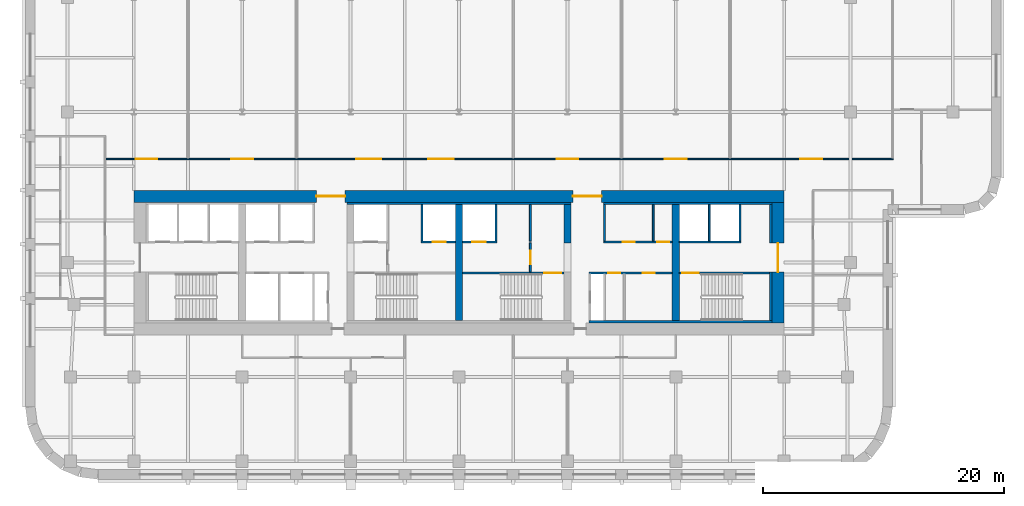
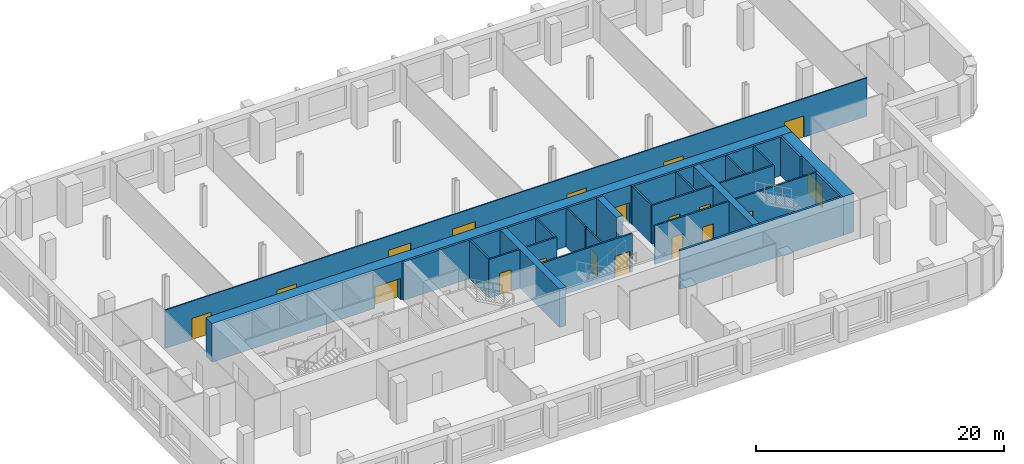
# One storey, part 5 of 9: 26 walls, 19 doors, 19 openings.
"""IFC4 building model written with IfcOpenShell, lengths in metres."""

from ifc_helpers import new_model, si_unit, direction, frame, frame_2d, origin, place, context, subcontext, project, spatial, rectangle, extrude, material, layer, layer_set, type_object, element, fill, save


model = new_model("IFC4")

# Units and contexts
model_context = context("Model", 3, precision=1e-05, world=origin(), true_north=direction((0.0, 1.0)))
body_context = subcontext(model_context, "Body", "Model", "MODEL_VIEW")
ifc_project = project(units=[si_unit("LENGTHUNIT", "METRE"), si_unit("AREAUNIT", "SQUARE_METRE"), si_unit("VOLUMEUNIT", "CUBIC_METRE"), si_unit("PLANEANGLEUNIT", "RADIAN"), si_unit("MASSUNIT", "GRAM", prefix="KILO")], contexts=[model_context])

# Site, building, storey
site_placement = place(None, origin())
site = spatial("IfcSite", under=ifc_project, at=site_placement, CompositionType="ELEMENT")
building_placement = place(site_placement, origin())
building = spatial("IfcBuilding", under=site, at=building_placement, Name="Zellij Exchange Tower", CompositionType="ELEMENT")
storey_placement = place(building_placement, frame((0.0, 0.0, 140.5)))
storey = spatial("IfcBuildingStorey", under=building, at=storey_placement, Name="L31", CompositionType="ELEMENT", Elevation=140.5)

# Walls
ifc_material_1 = material(Name="Concrete C70/85", Category="concrete")
ifc_layer_1 = layer(ifc_material_1, 0.60009765625)
ifc_layer_set_1 = layer_set([ifc_layer_1], Name="Concrete C70/85")
wall_type_1 = type_object("IfcWallType", Name="CORE-CW 600 C70/85", PredefinedType="SHEAR", material=ifc_layer_set_1)
wall_1_placement = place(storey_placement, frame((0.0, -12.800048828125, 0.0), z_axis=(0.0, 0.0, 1.0), x_axis=(0.0, 1.0, 0.0)))
element("IfcWall", 1, at=wall_1_placement, inside=storey, type_object=wall_type_1, Name="Core cross wall x 0 L31", PredefinedType="SHEAR", context=body_context, shape_type="SweptSolid", body=[
    extrude(rectangle(XDim=9.60009765625, YDim=0.60009765625, at=frame_2d((4.800048828125, 0.0))), origin(), (0.0, 0.0, 1.0), 3.800048828125),
])
wall_2_placement = place(storey_placement, frame((9.0, -6.375, 0.0), z_axis=(0.0, 0.0, 1.0), x_axis=(0.0, 1.0, 0.0)))
element("IfcWall", 2, at=wall_2_placement, inside=storey, type_object=wall_type_1, Name="Core cross wall pier x 9 b L31", PredefinedType="SHEAR", context=body_context, shape_type="SweptSolid", body=[
    extrude(rectangle(XDim=3.175048828125, YDim=0.60009765625, at=frame_2d((1.58740234375, 0.0))), origin(), (0.0, 0.0, 1.0), 3.800048828125),
])
wall_3_placement = place(storey_placement, frame((18.0, -12.800048828125, 0.0), z_axis=(0.0, 0.0, 1.0), x_axis=(0.0, 1.0, 0.0)))
element("IfcWall", 3, at=wall_3_placement, inside=storey, type_object=wall_type_1, Name="Core cross wall x 18 L31", PredefinedType="SHEAR", context=body_context, shape_type="SweptSolid", body=[
    extrude(rectangle(XDim=9.60009765625, YDim=0.60009765625, at=frame_2d((4.800048828125, 0.0))), origin(), (0.0, 0.0, 1.0), 3.800048828125),
])
ifc_material_2 = material(Name="Concrete C30/37", Category="concrete")
ifc_layer_2 = layer(ifc_material_2, 0.199951171875)
ifc_layer_set_2 = layer_set([ifc_layer_2], Name="Concrete C30/37")
wall_type_2 = type_object("IfcWallType", Name="CORE-LW 200 C30/37", PredefinedType="SHEAR", material=ifc_layer_set_2)
wall_4_placement = place(storey_placement, frame((-9.300048828125, -3.10009765625, 0.0), z_axis=(0.0, 0.0, 1.0), x_axis=(1.0, 0.0, 0.0)))
element("IfcWall", 4, at=wall_4_placement, inside=storey, type_object=wall_type_2, Name="Core wall lining front.1 L31", PredefinedType="SHEAR", context=body_context, shape_type="SweptSolid", body=[
    extrude(rectangle(XDim=18.60009765625, YDim=0.199951171875, at=frame_2d((9.300048828125, 0.0))), origin(), (0.0, 0.0, 1.0), 3.800048828125),
])
wall_5_placement = place(storey_placement, frame((12.0, -3.10009765625, 0.0), z_axis=(0.0, 0.0, 1.0), x_axis=(1.0, 0.0, 0.0)))
element("IfcWall", 5, at=wall_5_placement, inside=storey, type_object=wall_type_2, Name="Core wall lining front.2 L31", PredefinedType="SHEAR", context=body_context, shape_type="SweptSolid", body=[
    extrude(rectangle(XDim=14.0, YDim=0.199951171875, at=frame_2d((7.0, 0.0))), origin(), (0.0, 0.0, 1.0), 3.800048828125),
])
wall_6_placement = place(storey_placement, frame((10.800048828125, -12.89990234375, 0.0), z_axis=(0.0, 0.0, 1.0), x_axis=(1.0, 0.0, 0.0)))
element("IfcWall", 6, at=wall_6_placement, inside=storey, type_object=wall_type_2, Name="Core wall lining rear.2 L31", PredefinedType="SHEAR", context=body_context, shape_type="SweptSolid", body=[
    extrude(rectangle(XDim=15.199951171875, YDim=0.199951171875, at=frame_2d((7.60009765625, 0.0))), origin(), (0.0, 0.0, 1.0), 3.800048828125),
])
wall_7_placement = place(storey_placement, frame((25.89990234375, -12.800048828125, 0.0), z_axis=(0.0, 0.0, 1.0), x_axis=(0.0, 1.0, 0.0)))
element("IfcWall", 7, at=wall_7_placement, inside=storey, type_object=wall_type_2, Name="Core wall lining end e.0 L31", PredefinedType="SHEAR", context=body_context, shape_type="SweptSolid", body=[
    extrude(rectangle(XDim=4.0, YDim=0.199951171875, at=frame_2d((2.0, 0.0))), origin(), (0.0, 0.0, 1.0), 3.800048828125),
])
wall_8_placement = place(storey_placement, frame((25.89990234375, -6.375, 0.0), z_axis=(0.0, 0.0, 1.0), x_axis=(0.0, 1.0, 0.0)))
element("IfcWall", 8, at=wall_8_placement, inside=storey, type_object=wall_type_2, Name="Core wall lining end e.1 L31", PredefinedType="SHEAR", context=body_context, shape_type="SweptSolid", body=[
    extrude(rectangle(XDim=3.175048828125, YDim=0.199951171875, at=frame_2d((1.58740234375, 0.0))), origin(), (0.0, 0.0, 1.0), 3.800048828125),
])

# Wall, opening, door
ifc_material_3 = material(Name="Gypsum shaft wall system")
ifc_layer_3 = layer(ifc_material_3, 0.14990234375)
ifc_layer_set_3 = layer_set([ifc_layer_3], Name="Gypsum shaft wall system")
wall_type_3 = type_object("IfcWallType", Name="CORE-PW 150 Firefighting lobby wall", PredefinedType="PARTITIONING", material=ifc_layer_set_3)
wall_9_placement = place(storey_placement, frame((5.925048828125, -8.800048828125, 0.0), z_axis=(0.0, 0.0, 1.0), x_axis=(0.0, 1.0, 0.0)))
wall_9 = element("IfcWall", 9, at=wall_9_placement, inside=storey, type_object=wall_type_3, Name="Firefighting lobby wall L31", PredefinedType="PARTITIONING", context=body_context, shape_type="SweptSolid", body=[
    extrude(rectangle(XDim=2.425048828125, YDim=0.14990234375, at=frame_2d((1.21240234375, 0.0))), origin(), (0.0, 0.0, 1.0), 3.800048828125),
])
opening_1_placement = place(wall_9_placement, frame((0.662109375, 0.0, 0.0)))
opening_1 = element("IfcOpeningElement", 10, at=opening_1_placement, cuts=wall_9, Name="Opening CA-16.18", PredefinedType="OPENING", context=body_context, shape_type="SweptSolid", body=[
    extrude(rectangle(XDim=1.10009765625, YDim=2.10009765625, at=frame_2d((0.550048828125, 1.050048828125))), frame((0.0, 0.0869140625, 0.0), z_axis=(0.0, -1.0, 0.0), x_axis=(1.0, 0.0, 0.0)), (0.0, 0.0, 1.0), 0.173828125),
])
ifc_material_4 = material(Name="Hollow metal fire door")
door_type_1 = type_object("IfcDoorType", Name="CORE-D F Firefighting lobby door 1100x2100 1 HR", OperationType="NOTDEFINED", PredefinedType="DOOR", material=ifc_material_4)
door_1_placement = place(opening_1_placement, origin())
door_1 = element("IfcDoor", 11, at=door_1_placement, inside=storey, type_object=door_type_1, Name="Firefighting lobby door CA-16.18", OperationType="SINGLE_SWING_RIGHT", OverallHeight=2.10009765625, OverallWidth=1.10009765625, PredefinedType="DOOR", context=body_context, shape_type="SweptSolid", body=[
    extrude(rectangle(XDim=1.10009765625, YDim=2.10009765625, at=frame_2d((0.550048828125, 1.050048828125))), frame((0.0, 0.02490234375, 0.0), z_axis=(0.0, -1.0, 0.0), x_axis=(1.0, 0.0, 0.0)), (0.0, 0.0, 1.0), 0.050048828125),
])
fill(opening_1, door_1)

# Walls
ifc_material_5 = material(Name="Gypsum board partition")
ifc_layer_4 = layer(ifc_material_5, 0.14990234375)
ifc_layer_set_4 = layer_set([ifc_layer_4], Name="Gypsum board partition")
wall_type_4 = type_object("IfcWallType", Name="CORE-PW 150 Lift lobby wall", PredefinedType="PARTITIONING", material=ifc_layer_set_4)
for number, where, z_axis, x_axis, name in (
    (12, (5.925048828125, -6.22509765625, 0.0), (0.0, 0.0, 1.0), (0.0, 1.0, 0.0), "Lift lobby wall L31"),
    (13, (12.074951171875, -6.22509765625, 0.0), (0.0, 0.0, 1.0), (0.0, 1.0, 0.0), "Lift lobby wall L31"),
    (14, (16.125, -6.22509765625, 0.0), (0.0, 0.0, 1.0), (0.0, 1.0, 0.0), "Lift lobby wall L31"),
):
    element("IfcWall", number, at=place(storey_placement, frame(where, z_axis=z_axis, x_axis=x_axis)), inside=storey, type_object=wall_type_4, Name=name, PredefinedType="PARTITIONING", context=body_context, shape_type="SweptSolid", body=[
        extrude(rectangle(XDim=3.025146484375, YDim=0.14990234375, at=frame_2d((1.5126953125, 0.0))), origin(), (0.0, 0.0, 1.0), 3.800048828125),
    ])

# Wall, openings, doors
wall_10_placement = place(storey_placement, frame((12.0, -6.300048828125, 0.0), z_axis=(0.0, 0.0, 1.0), x_axis=(1.0, 0.0, 0.0)))
wall_10 = element("IfcWall", 15, at=wall_10_placement, inside=storey, type_object=wall_type_4, Name="Lift lobby wall L31", PredefinedType="PARTITIONING", context=body_context, shape_type="SweptSolid", body=[
    extrude(rectangle(XDim=5.699951171875, YDim=0.14990234375, at=frame_2d((2.85009765625, 0.0))), origin(), (0.0, 0.0, 1.0), 3.800048828125),
])
opening_2_placement = place(wall_10_placement, frame((1.60009765625, 0.0, 0.0)))
opening_2 = element("IfcOpeningElement", 16, at=opening_2_placement, cuts=wall_10, Name="Opening CA-16.24", PredefinedType="OPENING", context=body_context, shape_type="SweptSolid", body=[
    extrude(rectangle(XDim=1.0, YDim=2.10009765625, at=frame_2d((0.5, 1.050048828125))), frame((0.0, 0.0869140625, 0.0), z_axis=(0.0, -1.0, 0.0), x_axis=(1.0, 0.0, 0.0)), (0.0, 0.0, 1.0), 0.173828125),
])
opening_3_placement = place(wall_10_placement, frame((4.449951171875, 0.0, 0.0)))
opening_3 = element("IfcOpeningElement", 17, at=opening_3_placement, cuts=wall_10, Name="Opening CA-16.26", PredefinedType="OPENING", context=body_context, shape_type="SweptSolid", body=[
    extrude(rectangle(XDim=1.0, YDim=2.10009765625, at=frame_2d((0.5, 1.050048828125))), frame((0.0, 0.0869140625, 0.0), z_axis=(0.0, -1.0, 0.0), x_axis=(1.0, 0.0, 0.0)), (0.0, 0.0, 1.0), 0.173828125),
])
door_type_2 = type_object("IfcDoorType", Name="CORE-D CD Core room door 1000x2100 1 HR", OperationType="NOTDEFINED", PredefinedType="DOOR", material=ifc_material_4)
door_2_placement = place(opening_2_placement, origin())
door_2 = element("IfcDoor", 18, at=door_2_placement, inside=storey, type_object=door_type_2, Name="Core room door CA-16.24", OperationType="SINGLE_SWING_LEFT", OverallHeight=2.10009765625, OverallWidth=1.0, PredefinedType="DOOR", context=body_context, shape_type="SweptSolid", body=[
    extrude(rectangle(XDim=1.0, YDim=2.10009765625, at=frame_2d((0.5, 1.050048828125))), frame((0.0, 0.02490234375, 0.0), z_axis=(0.0, -1.0, 0.0), x_axis=(1.0, 0.0, 0.0)), (0.0, 0.0, 1.0), 0.050048828125),
])
fill(opening_2, door_2)
door_3_placement = place(opening_3_placement, origin())
door_3 = element("IfcDoor", 19, at=door_3_placement, inside=storey, type_object=door_type_2, Name="Core room door CA-16.26", OperationType="SINGLE_SWING_RIGHT", OverallHeight=2.10009765625, OverallWidth=1.0, PredefinedType="DOOR", context=body_context, shape_type="SweptSolid", body=[
    extrude(rectangle(XDim=1.0, YDim=2.10009765625, at=frame_2d((0.5, 1.050048828125))), frame((0.0, 0.02490234375, 0.0), z_axis=(0.0, -1.0, 0.0), x_axis=(1.0, 0.0, 0.0)), (0.0, 0.0, 1.0), 0.050048828125),
])
fill(opening_3, door_3)

wall_11_placement = place(storey_placement, frame((10.800048828125, -8.875, 0.0), z_axis=(0.0, 0.0, 1.0), x_axis=(1.0, 0.0, 0.0)))
wall_11 = element("IfcWall", 20, at=wall_11_placement, inside=storey, type_object=wall_type_4, Name="Lift lobby wall L31", PredefinedType="PARTITIONING", context=body_context, shape_type="SweptSolid", body=[
    extrude(rectangle(XDim=6.89990234375, YDim=0.14990234375, at=frame_2d((3.449951171875, 0.0))), origin(), (0.0, 0.0, 1.0), 3.800048828125),
])
opening_4_placement = place(wall_11_placement, frame((1.60009765625, 0.0, 0.0)))
opening_4 = element("IfcOpeningElement", 21, at=opening_4_placement, cuts=wall_11, Name="Opening CA-16.23", PredefinedType="OPENING", context=body_context, shape_type="SweptSolid", body=[
    extrude(rectangle(XDim=1.0, YDim=2.10009765625, at=frame_2d((0.5, 1.050048828125))), frame((0.0, 0.0869140625, 0.0), z_axis=(0.0, -1.0, 0.0), x_axis=(1.0, 0.0, 0.0)), (0.0, 0.0, 1.0), 0.173828125),
])
opening_5_placement = place(wall_11_placement, frame((4.449951171875, 0.0, 0.0)))
opening_5 = element("IfcOpeningElement", 22, at=opening_5_placement, cuts=wall_11, Name="Opening CA-16.25", PredefinedType="OPENING", context=body_context, shape_type="SweptSolid", body=[
    extrude(rectangle(XDim=1.0, YDim=2.10009765625, at=frame_2d((0.5, 1.050048828125))), frame((0.0, 0.0869140625, 0.0), z_axis=(0.0, -1.0, 0.0), x_axis=(1.0, 0.0, 0.0)), (0.0, 0.0, 1.0), 0.173828125),
])
door_4_placement = place(opening_4_placement, origin())
door_4 = element("IfcDoor", 23, at=door_4_placement, inside=storey, type_object=door_type_2, Name="Core room door CA-16.23", OperationType="SINGLE_SWING_RIGHT", OverallHeight=2.10009765625, OverallWidth=1.0, PredefinedType="DOOR", context=body_context, shape_type="SweptSolid", body=[
    extrude(rectangle(XDim=1.0, YDim=2.10009765625, at=frame_2d((0.5, 1.050048828125))), frame((0.0, 0.02490234375, 0.0), z_axis=(0.0, -1.0, 0.0), x_axis=(1.0, 0.0, 0.0)), (0.0, 0.0, 1.0), 0.050048828125),
])
fill(opening_4, door_4)
door_5_placement = place(opening_5_placement, origin())
door_5 = element("IfcDoor", 24, at=door_5_placement, inside=storey, type_object=door_type_2, Name="Core room door CA-16.25", OperationType="SINGLE_SWING_LEFT", OverallHeight=2.10009765625, OverallWidth=1.0, PredefinedType="DOOR", context=body_context, shape_type="SweptSolid", body=[
    extrude(rectangle(XDim=1.0, YDim=2.10009765625, at=frame_2d((0.5, 1.050048828125))), frame((0.0, 0.02490234375, 0.0), z_axis=(0.0, -1.0, 0.0), x_axis=(1.0, 0.0, 0.0)), (0.0, 0.0, 1.0), 0.050048828125),
])
fill(opening_5, door_5)

# Walls
ifc_layer_5 = layer(ifc_material_3, 0.14990234375)
ifc_layer_set_5 = layer_set([ifc_layer_5], Name="Gypsum shaft wall system")
wall_type_5 = type_object("IfcWallType", Name="CORE-PW 150 Lift shaft wall", PredefinedType="PARTITIONING", material=ifc_layer_set_5)
for number, where, z_axis, x_axis, name in (
    (25, (-3.074951171875, -6.22509765625, 0.0), (0.0, 0.0, 1.0), (0.0, 1.0, 0.0), "Lift shaft wall L31"),
    (26, (3.074951171875, -6.22509765625, 0.0), (0.0, 0.0, 1.0), (0.0, 1.0, 0.0), "Lift shaft wall L31"),
    (27, (20.77490234375, -6.22509765625, 0.0), (0.0, 0.0, 1.0), (0.0, 1.0, 0.0), "Lift shaft wall L31"),
    (28, (23.324951171875, -6.22509765625, 0.0), (0.0, 0.0, 1.0), (0.0, 1.0, 0.0), "Lift shaft wall L31"),
):
    element("IfcWall", number, at=place(storey_placement, frame(where, z_axis=z_axis, x_axis=x_axis)), inside=storey, type_object=wall_type_5, Name=name, PredefinedType="PARTITIONING", context=body_context, shape_type="SweptSolid", body=[
        extrude(rectangle(XDim=3.025146484375, YDim=0.14990234375, at=frame_2d((1.5126953125, 0.0))), origin(), (0.0, 0.0, 1.0), 3.800048828125),
    ])

# Wall, opening, door
wall_12_placement = place(storey_placement, frame((-3.14990234375, -6.300048828125, 0.0), z_axis=(0.0, 0.0, 1.0), x_axis=(1.0, 0.0, 0.0)))
wall_12 = element("IfcWall", 29, at=wall_12_placement, inside=storey, type_object=wall_type_5, Name="Lift shaft wall L31", PredefinedType="PARTITIONING", context=body_context, shape_type="SweptSolid", body=[
    extrude(rectangle(XDim=2.849853515625, YDim=0.14990234375, at=frame_2d((1.4248046875, 0.0))), origin(), (0.0, 0.0, 1.0), 3.800048828125),
])
opening_6_placement = place(wall_12_placement, frame((0.949951171875, 0.0, 0.0)))
opening_6 = element("IfcOpeningElement", 30, at=opening_6_placement, cuts=wall_12, Name="Opening CA-16.16", PredefinedType="OPENING", context=body_context, shape_type="SweptSolid", body=[
    extrude(rectangle(XDim=1.10009765625, YDim=2.10009765625, at=frame_2d((0.550048828125, 1.050048828125))), frame((0.0, 0.0869140625, 0.0), z_axis=(0.0, -1.0, 0.0), x_axis=(1.0, 0.0, 0.0)), (0.0, 0.0, 1.0), 0.173828125),
])
door_type_3 = type_object("IfcDoorType", Name="CORE-D LD Lift landing door 1100x2100 1.5 HR", OperationType="NOTDEFINED", PredefinedType="DOOR", material=ifc_material_4)
door_6_placement = place(opening_6_placement, origin())
door_6 = element("IfcDoor", 31, at=door_6_placement, inside=storey, type_object=door_type_3, Name="Lift landing door CA-16.16", OperationType="SLIDING_TO_RIGHT", OverallHeight=2.10009765625, OverallWidth=1.10009765625, PredefinedType="DOOR", context=body_context, shape_type="SweptSolid", body=[
    extrude(rectangle(XDim=1.10009765625, YDim=2.10009765625, at=frame_2d((0.550048828125, 1.050048828125))), frame((0.0, 0.02490234375, 0.0), z_axis=(0.0, -1.0, 0.0), x_axis=(1.0, 0.0, 0.0)), (0.0, 0.0, 1.0), 0.050048828125),
])
fill(opening_6, door_6)

wall_13_placement = place(storey_placement, frame((0.300048828125, -6.300048828125, 0.0), z_axis=(0.0, 0.0, 1.0), x_axis=(1.0, 0.0, 0.0)))
wall_13 = element("IfcWall", 32, at=wall_13_placement, inside=storey, type_object=wall_type_5, Name="Lift shaft wall L31", PredefinedType="PARTITIONING", context=body_context, shape_type="SweptSolid", body=[
    extrude(rectangle(XDim=2.849853515625, YDim=0.14990234375, at=frame_2d((1.4248046875, 0.0))), origin(), (0.0, 0.0, 1.0), 3.800048828125),
])
opening_7_placement = place(wall_13_placement, frame((0.800048828125, 0.0, 0.0)))
opening_7 = element("IfcOpeningElement", 33, at=opening_7_placement, cuts=wall_13, Name="Opening CA-16.17", PredefinedType="OPENING", context=body_context, shape_type="SweptSolid", body=[
    extrude(rectangle(XDim=1.10009765625, YDim=2.10009765625, at=frame_2d((0.550048828125, 1.050048828125))), frame((0.0, 0.0869140625, 0.0), z_axis=(0.0, -1.0, 0.0), x_axis=(1.0, 0.0, 0.0)), (0.0, 0.0, 1.0), 0.173828125),
])
door_7_placement = place(opening_7_placement, origin())
door_7 = element("IfcDoor", 34, at=door_7_placement, inside=storey, type_object=door_type_3, Name="Lift landing door CA-16.17", OperationType="SLIDING_TO_LEFT", OverallHeight=2.10009765625, OverallWidth=1.10009765625, PredefinedType="DOOR", context=body_context, shape_type="SweptSolid", body=[
    extrude(rectangle(XDim=1.10009765625, YDim=2.10009765625, at=frame_2d((0.550048828125, 1.050048828125))), frame((0.0, 0.02490234375, 0.0), z_axis=(0.0, -1.0, 0.0), x_axis=(1.0, 0.0, 0.0)), (0.0, 0.0, 1.0), 0.050048828125),
])
fill(opening_7, door_7)

# Wall
wall_14_placement = place(storey_placement, frame((18.300048828125, -6.300048828125, 0.0), z_axis=(0.0, 0.0, 1.0), x_axis=(1.0, 0.0, 0.0)))
element("IfcWall", 35, at=wall_14_placement, inside=storey, type_object=wall_type_5, Name="Lift shaft wall L31", PredefinedType="PARTITIONING", context=body_context, shape_type="SweptSolid", body=[
    extrude(rectangle(XDim=5.099853515625, YDim=0.14990234375, at=frame_2d((2.5498046875, 0.0))), origin(), (0.0, 0.0, 1.0), 3.800048828125),
])

# Wall, openings, doors
ifc_layer_6 = layer(ifc_material_1, 1.0)
ifc_layer_set_6 = layer_set([ifc_layer_6], Name="Concrete C70/85")
wall_type_6 = type_object("IfcWallType", Name="CORE-SW 1000 C70/85", PredefinedType="SHEAR", material=ifc_layer_set_6)
wall_15_placement = place(storey_placement, frame((-27.0, -2.5, 0.0), z_axis=(0.0, 0.0, 1.0), x_axis=(1.0, 0.0, 0.0)))
wall_15 = element("IfcWall", 36, at=wall_15_placement, inside=storey, type_object=wall_type_6, Name="Core shear wall front L31", PredefinedType="SHEAR", context=body_context, shape_type="SweptSolid", body=[
    extrude(rectangle(XDim=54.0, YDim=1.0, at=frame_2d((27.0, 0.0))), origin(), (0.0, 0.0, 1.0), 3.800048828125),
])
opening_8_placement = place(wall_15_placement, frame((15.14990234375, 0.0, 0.0)))
opening_8 = element("IfcOpeningElement", 37, at=opening_8_placement, cuts=wall_15, Name="Opening CA-16.11", PredefinedType="OPENING", context=body_context, shape_type="SweptSolid", body=[
    extrude(rectangle(XDim=2.39990234375, YDim=2.10009765625, at=frame_2d((1.199951171875, 1.050048828125))), frame((0.0, 0.511962890625, 0.0), z_axis=(0.0, -1.0, 0.0), x_axis=(1.0, 0.0, 0.0)), (0.0, 0.0, 1.0), 1.02392578125),
])
opening_9_placement = place(wall_15_placement, frame((36.449951171875, 0.0, 0.0)))
opening_9 = element("IfcOpeningElement", 38, at=opening_9_placement, cuts=wall_15, Name="Opening CA-16.21", PredefinedType="OPENING", context=body_context, shape_type="SweptSolid", body=[
    extrude(rectangle(XDim=2.39990234375, YDim=2.10009765625, at=frame_2d((1.199951171875, 1.050048828125))), frame((0.0, 0.511962890625, 0.0), z_axis=(0.0, -1.0, 0.0), x_axis=(1.0, 0.0, 0.0)), (0.0, 0.0, 1.0), 1.02392578125),
])
door_type_4 = type_object("IfcDoorType", Name="CORE-D CE Core entrance door 2400x2100 20 MIN", OperationType="NOTDEFINED", PredefinedType="DOOR", material=ifc_material_4)
door_8_placement = place(opening_8_placement, origin())
door_8 = element("IfcDoor", 39, at=door_8_placement, inside=storey, type_object=door_type_4, Name="Core entrance door CA-16.11", OperationType="DOUBLE_DOOR_SINGLE_SWING", OverallHeight=2.10009765625, OverallWidth=2.39990234375, PredefinedType="DOOR", context=body_context, shape_type="SweptSolid", body=[
    extrude(rectangle(XDim=2.39990234375, YDim=2.10009765625, at=frame_2d((1.199951171875, 1.050048828125))), frame((0.0, 0.02490234375, 0.0), z_axis=(0.0, -1.0, 0.0), x_axis=(1.0, 0.0, 0.0)), (0.0, 0.0, 1.0), 0.050048828125),
])
fill(opening_8, door_8)
door_9_placement = place(opening_9_placement, origin())
door_9 = element("IfcDoor", 40, at=door_9_placement, inside=storey, type_object=door_type_4, Name="Core entrance door CA-16.21", OperationType="DOUBLE_DOOR_SINGLE_SWING", OverallHeight=2.10009765625, OverallWidth=2.39990234375, PredefinedType="DOOR", context=body_context, shape_type="SweptSolid", body=[
    extrude(rectangle(XDim=2.39990234375, YDim=2.10009765625, at=frame_2d((1.199951171875, 1.050048828125))), frame((0.0, 0.02490234375, 0.0), z_axis=(0.0, -1.0, 0.0), x_axis=(1.0, 0.0, 0.0)), (0.0, 0.0, 1.0), 0.050048828125),
])
fill(opening_9, door_9)

# Wall, opening, door
wall_16_placement = place(storey_placement, frame((26.5, -13.0, 0.0), z_axis=(0.0, 0.0, 1.0), x_axis=(0.0, 1.0, 0.0)))
wall_16 = element("IfcWall", 41, at=wall_16_placement, inside=storey, type_object=wall_type_6, Name="Core shear wall end e L31", PredefinedType="SHEAR", context=body_context, shape_type="SweptSolid", body=[
    extrude(rectangle(XDim=10.0, YDim=1.0, at=frame_2d((5.0, 0.0))), origin(), (0.0, 0.0, 1.0), 3.800048828125),
])
opening_10_placement = place(wall_16_placement, frame((4.2119140625, 0.0, 0.0)))
opening_10 = element("IfcOpeningElement", 42, at=opening_10_placement, cuts=wall_16, Name="Opening CA-16.28", PredefinedType="OPENING", context=body_context, shape_type="SweptSolid", body=[
    extrude(rectangle(XDim=2.39990234375, YDim=2.10009765625, at=frame_2d((1.199951171875, 1.050048828125))), frame((0.0, 0.511962890625, 0.0), z_axis=(0.0, -1.0, 0.0), x_axis=(1.0, 0.0, 0.0)), (0.0, 0.0, 1.0), 1.02392578125),
])
door_10_placement = place(opening_10_placement, origin())
door_10 = element("IfcDoor", 43, at=door_10_placement, inside=storey, type_object=door_type_4, Name="Core entrance door CA-16.28", OperationType="DOUBLE_DOOR_SINGLE_SWING", OverallHeight=2.10009765625, OverallWidth=2.39990234375, PredefinedType="DOOR", context=body_context, shape_type="SweptSolid", body=[
    extrude(rectangle(XDim=2.39990234375, YDim=2.10009765625, at=frame_2d((1.199951171875, 1.050048828125))), frame((0.0, 0.02490234375, 0.0), z_axis=(0.0, -1.0, 0.0), x_axis=(1.0, 0.0, 0.0)), (0.0, 0.0, 1.0), 0.050048828125),
])
fill(opening_10, door_10)

ifc_layer_7 = layer(ifc_material_1, 0.14990234375)
ifc_layer_set_7 = layer_set([ifc_layer_7], Name="Concrete C70/85")
wall_type_7 = type_object("IfcWallType", Name="CORE-SWS 150 C70/85", PredefinedType="SHEAR", material=ifc_layer_set_7)
wall_17_placement = place(storey_placement, frame((0.300048828125, -8.875, 0.0), z_axis=(0.0, 0.0, 1.0), x_axis=(1.0, 0.0, 0.0)))
wall_17 = element("IfcWall", 44, at=wall_17_placement, inside=storey, type_object=wall_type_7, Name="Stair enclosure wall L31", PredefinedType="SHEAR", context=body_context, shape_type="SweptSolid", body=[
    extrude(rectangle(XDim=8.39990234375, YDim=0.14990234375, at=frame_2d((4.199951171875, 0.0))), origin(), (0.0, 0.0, 1.0), 3.800048828125),
])
opening_11_placement = place(wall_17_placement, frame((6.77490234375, 0.0, 0.0)))
opening_11 = element("IfcOpeningElement", 45, at=opening_11_placement, cuts=wall_17, Name="Opening CA-16.19", PredefinedType="OPENING", context=body_context, shape_type="SweptSolid", body=[
    extrude(rectangle(XDim=1.39990234375, YDim=2.10009765625, at=frame_2d((0.699951171875, 1.050048828125))), frame((0.0, 0.0869140625, 0.0), z_axis=(0.0, -1.0, 0.0), x_axis=(1.0, 0.0, 0.0)), (0.0, 0.0, 1.0), 0.173828125),
])
door_type_5 = type_object("IfcDoorType", Name="CORE-D SD Stair door 1400x2100 1.5 HR", OperationType="NOTDEFINED", PredefinedType="DOOR", material=ifc_material_4)
door_11_placement = place(opening_11_placement, origin())
door_11 = element("IfcDoor", 46, at=door_11_placement, inside=storey, type_object=door_type_5, Name="Stair door CA-16.19", OperationType="DOUBLE_DOOR_SINGLE_SWING", OverallHeight=2.10009765625, OverallWidth=1.39990234375, PredefinedType="DOOR", context=body_context, shape_type="SweptSolid", body=[
    extrude(rectangle(XDim=1.39990234375, YDim=2.10009765625, at=frame_2d((0.699951171875, 1.050048828125))), frame((0.0, 0.02490234375, 0.0), z_axis=(0.0, -1.0, 0.0), x_axis=(1.0, 0.0, 0.0)), (0.0, 0.0, 1.0), 0.050048828125),
])
fill(opening_11, door_11)

wall_18_placement = place(storey_placement, frame((18.300048828125, -8.875, 0.0), z_axis=(0.0, 0.0, 1.0), x_axis=(1.0, 0.0, 0.0)))
wall_18 = element("IfcWall", 47, at=wall_18_placement, inside=storey, type_object=wall_type_7, Name="Stair enclosure wall L31", PredefinedType="SHEAR", context=body_context, shape_type="SweptSolid", body=[
    extrude(rectangle(XDim=7.5, YDim=0.14990234375, at=frame_2d((3.75, 0.0))), origin(), (0.0, 0.0, 1.0), 3.800048828125),
])
opening_12_placement = place(wall_18_placement, frame((0.22509765625, 0.0, 0.0)))
opening_12 = element("IfcOpeningElement", 48, at=opening_12_placement, cuts=wall_18, Name="Opening CA-16.27", PredefinedType="OPENING", context=body_context, shape_type="SweptSolid", body=[
    extrude(rectangle(XDim=1.39990234375, YDim=2.10009765625, at=frame_2d((0.699951171875, 1.050048828125))), frame((0.0, 0.0869140625, 0.0), z_axis=(0.0, -1.0, 0.0), x_axis=(1.0, 0.0, 0.0)), (0.0, 0.0, 1.0), 0.173828125),
])
door_12_placement = place(opening_12_placement, origin())
door_12 = element("IfcDoor", 49, at=door_12_placement, inside=storey, type_object=door_type_5, Name="Stair door CA-16.27", OperationType="DOUBLE_DOOR_SINGLE_SWING", OverallHeight=2.10009765625, OverallWidth=1.39990234375, PredefinedType="DOOR", context=body_context, shape_type="SweptSolid", body=[
    extrude(rectangle(XDim=1.39990234375, YDim=2.10009765625, at=frame_2d((0.699951171875, 1.050048828125))), frame((0.0, 0.02490234375, 0.0), z_axis=(0.0, -1.0, 0.0), x_axis=(1.0, 0.0, 0.0)), (0.0, 0.0, 1.0), 0.050048828125),
])
fill(opening_12, door_12)

# Wall, openings, doors
ifc_material_6 = material(Name="Gypsum board partition on steel studs", Category="steel")
ifc_layer_8 = layer(ifc_material_6, 0.10009765625)
ifc_layer_set_8 = layer_set([ifc_layer_8], Name="Gypsum board partition on steel studs")
wall_type_8 = type_object("IfcWallType", Name="FIT-PARTITION-100", PredefinedType="PARTITIONING", material=ifc_layer_set_8)
wall_19_placement = place(storey_placement, frame((-29.35009765625, 0.60009765625, 0.0), z_axis=(0.0, 0.0, 1.0), x_axis=(1.0, 0.0, 0.0)))
wall_19 = element("IfcWall", 50, at=wall_19_placement, inside=storey, type_object=wall_type_8, Name="FIT-PARTITION-100 024", PredefinedType="PARTITIONING", context=body_context, shape_type="SweptSolid", body=[
    extrude(rectangle(XDim=65.400146484375, YDim=0.10009765625, at=frame_2d((32.7001953125, 0.0))), origin(), (0.0, 0.0, 1.0), 3.800048828125),
])
opening_13_placement = place(wall_19_placement, frame((2.5, 0.0, 0.0)))
opening_13 = element("IfcOpeningElement", 51, at=opening_13_placement, cuts=wall_19, Name="Opening TG.09", PredefinedType="OPENING", context=body_context, shape_type="SweptSolid", body=[
    extrude(rectangle(XDim=1.800048828125, YDim=2.10009765625, at=frame_2d((0.89990234375, 1.050048828125))), frame((0.0, 0.06201171875, 0.0), z_axis=(0.0, -1.0, 0.0), x_axis=(1.0, 0.0, 0.0)), (0.0, 0.0, 1.0), 0.1240234375),
])
opening_14_placement = place(wall_19_placement, frame((10.449951171875, 0.0, 0.0)))
opening_14 = element("IfcOpeningElement", 52, at=opening_14_placement, cuts=wall_19, Name="Opening TG.10", PredefinedType="OPENING", context=body_context, shape_type="SweptSolid", body=[
    extrude(rectangle(XDim=1.800048828125, YDim=2.10009765625, at=frame_2d((0.89990234375, 1.050048828125))), frame((0.0, 0.06201171875, 0.0), z_axis=(0.0, -1.0, 0.0), x_axis=(1.0, 0.0, 0.0)), (0.0, 0.0, 1.0), 0.1240234375),
])
opening_15_placement = place(wall_19_placement, frame((20.800048828125, 0.0, 0.0)))
opening_15 = element("IfcOpeningElement", 53, at=opening_15_placement, cuts=wall_19, Name="Opening TG.11", PredefinedType="OPENING", context=body_context, shape_type="SweptSolid", body=[
    extrude(rectangle(XDim=2.10009765625, YDim=2.39990234375, at=frame_2d((1.050048828125, 1.199951171875))), frame((0.0, 0.06201171875, 0.0), z_axis=(0.0, -1.0, 0.0), x_axis=(1.0, 0.0, 0.0)), (0.0, 0.0, 1.0), 0.1240234375),
])
opening_16_placement = place(wall_19_placement, frame((26.800048828125, 0.0, 0.0)))
opening_16 = element("IfcOpeningElement", 54, at=opening_16_placement, cuts=wall_19, Name="Opening TG.12", PredefinedType="OPENING", context=body_context, shape_type="SweptSolid", body=[
    extrude(rectangle(XDim=2.10009765625, YDim=2.39990234375, at=frame_2d((1.050048828125, 1.199951171875))), frame((0.0, 0.06201171875, 0.0), z_axis=(0.0, -1.0, 0.0), x_axis=(1.0, 0.0, 0.0)), (0.0, 0.0, 1.0), 0.1240234375),
])
opening_17_placement = place(wall_19_placement, frame((37.449951171875, 0.0, 0.0)))
opening_17 = element("IfcOpeningElement", 55, at=opening_17_placement, cuts=wall_19, Name="Opening TG.13", PredefinedType="OPENING", context=body_context, shape_type="SweptSolid", body=[
    extrude(rectangle(XDim=1.800048828125, YDim=2.10009765625, at=frame_2d((0.89990234375, 1.050048828125))), frame((0.0, 0.06201171875, 0.0), z_axis=(0.0, -1.0, 0.0), x_axis=(1.0, 0.0, 0.0)), (0.0, 0.0, 1.0), 0.1240234375),
])
opening_18_placement = place(wall_19_placement, frame((46.449951171875, 0.0, 0.0)))
opening_18 = element("IfcOpeningElement", 56, at=opening_18_placement, cuts=wall_19, Name="Opening TG.14", PredefinedType="OPENING", context=body_context, shape_type="SweptSolid", body=[
    extrude(rectangle(XDim=1.800048828125, YDim=2.10009765625, at=frame_2d((0.89990234375, 1.050048828125))), frame((0.0, 0.06201171875, 0.0), z_axis=(0.0, -1.0, 0.0), x_axis=(1.0, 0.0, 0.0)), (0.0, 0.0, 1.0), 0.1240234375),
])
opening_19_placement = place(wall_19_placement, frame((57.699951171875, 0.0, 0.0)))
opening_19 = element("IfcOpeningElement", 57, at=opening_19_placement, cuts=wall_19, Name="Opening TG.15", PredefinedType="OPENING", context=body_context, shape_type="SweptSolid", body=[
    extrude(rectangle(XDim=1.800048828125, YDim=2.10009765625, at=frame_2d((0.89990234375, 1.050048828125))), frame((0.0, 0.06201171875, 0.0), z_axis=(0.0, -1.0, 0.0), x_axis=(1.0, 0.0, 0.0)), (0.0, 0.0, 1.0), 0.1240234375),
])
ifc_material_7 = material(Name="Timber door set", Category="wood")
door_type_6 = type_object("IfcDoorType", Name="FIT-D3-DOUBLE-1800X2100", OperationType="DOUBLE_DOOR_SINGLE_SWING", PredefinedType="DOOR", material=ifc_material_7)
door_13_placement = place(opening_13_placement, origin())
door_13 = element("IfcDoor", 58, at=door_13_placement, inside=storey, type_object=door_type_6, Name="Door TG.09", OperationType="DOUBLE_DOOR_SINGLE_SWING", OverallHeight=2.10009765625, OverallWidth=1.800048828125, PredefinedType="DOOR", context=body_context, shape_type="SweptSolid", body=[
    extrude(rectangle(XDim=1.800048828125, YDim=2.10009765625, at=frame_2d((0.89990234375, 1.050048828125))), frame((0.0, 0.02490234375, 0.0), z_axis=(0.0, -1.0, 0.0), x_axis=(1.0, 0.0, 0.0)), (0.0, 0.0, 1.0), 0.050048828125),
])
fill(opening_13, door_13)
door_14_placement = place(opening_14_placement, origin())
door_14 = element("IfcDoor", 59, at=door_14_placement, inside=storey, type_object=door_type_6, Name="Door TG.10", OperationType="DOUBLE_DOOR_SINGLE_SWING", OverallHeight=2.10009765625, OverallWidth=1.800048828125, PredefinedType="DOOR", context=body_context, shape_type="SweptSolid", body=[
    extrude(rectangle(XDim=1.800048828125, YDim=2.10009765625, at=frame_2d((0.89990234375, 1.050048828125))), frame((0.0, 0.02490234375, 0.0), z_axis=(0.0, -1.0, 0.0), x_axis=(1.0, 0.0, 0.0)), (0.0, 0.0, 1.0), 0.050048828125),
])
fill(opening_14, door_14)
door_15_placement = place(opening_17_placement, origin())
door_15 = element("IfcDoor", 60, at=door_15_placement, inside=storey, type_object=door_type_6, Name="Door TG.13", OperationType="DOUBLE_DOOR_SINGLE_SWING", OverallHeight=2.10009765625, OverallWidth=1.800048828125, PredefinedType="DOOR", context=body_context, shape_type="SweptSolid", body=[
    extrude(rectangle(XDim=1.800048828125, YDim=2.10009765625, at=frame_2d((0.89990234375, 1.050048828125))), frame((0.0, 0.02490234375, 0.0), z_axis=(0.0, -1.0, 0.0), x_axis=(1.0, 0.0, 0.0)), (0.0, 0.0, 1.0), 0.050048828125),
])
fill(opening_17, door_15)
door_16_placement = place(opening_18_placement, origin())
door_16 = element("IfcDoor", 61, at=door_16_placement, inside=storey, type_object=door_type_6, Name="Door TG.14", OperationType="DOUBLE_DOOR_SINGLE_SWING", OverallHeight=2.10009765625, OverallWidth=1.800048828125, PredefinedType="DOOR", context=body_context, shape_type="SweptSolid", body=[
    extrude(rectangle(XDim=1.800048828125, YDim=2.10009765625, at=frame_2d((0.89990234375, 1.050048828125))), frame((0.0, 0.02490234375, 0.0), z_axis=(0.0, -1.0, 0.0), x_axis=(1.0, 0.0, 0.0)), (0.0, 0.0, 1.0), 0.050048828125),
])
fill(opening_18, door_16)
door_17_placement = place(opening_19_placement, origin())
door_17 = element("IfcDoor", 62, at=door_17_placement, inside=storey, type_object=door_type_6, Name="Door TG.15", OperationType="DOUBLE_DOOR_SINGLE_SWING", OverallHeight=2.10009765625, OverallWidth=1.800048828125, PredefinedType="DOOR", context=body_context, shape_type="SweptSolid", body=[
    extrude(rectangle(XDim=1.800048828125, YDim=2.10009765625, at=frame_2d((0.89990234375, 1.050048828125))), frame((0.0, 0.02490234375, 0.0), z_axis=(0.0, -1.0, 0.0), x_axis=(1.0, 0.0, 0.0)), (0.0, 0.0, 1.0), 0.050048828125),
])
fill(opening_19, door_17)
door_type_7 = type_object("IfcDoorType", Name="FIT-D7-ASSEMBLY-2100X2400", OperationType="DOUBLE_DOOR_SINGLE_SWING", PredefinedType="DOOR", material=ifc_material_7)
door_18_placement = place(opening_15_placement, origin())
door_18 = element("IfcDoor", 63, at=door_18_placement, inside=storey, type_object=door_type_7, Name="Door TG.11", OperationType="DOUBLE_DOOR_SINGLE_SWING", OverallHeight=2.39990234375, OverallWidth=2.10009765625, PredefinedType="DOOR", context=body_context, shape_type="SweptSolid", body=[
    extrude(rectangle(XDim=2.10009765625, YDim=2.39990234375, at=frame_2d((1.050048828125, 1.199951171875))), frame((0.0, 0.02490234375, 0.0), z_axis=(0.0, -1.0, 0.0), x_axis=(1.0, 0.0, 0.0)), (0.0, 0.0, 1.0), 0.050048828125),
])
fill(opening_15, door_18)
door_19_placement = place(opening_16_placement, origin())
door_19 = element("IfcDoor", 64, at=door_19_placement, inside=storey, type_object=door_type_7, Name="Door TG.12", OperationType="DOUBLE_DOOR_SINGLE_SWING", OverallHeight=2.39990234375, OverallWidth=2.10009765625, PredefinedType="DOOR", context=body_context, shape_type="SweptSolid", body=[
    extrude(rectangle(XDim=2.10009765625, YDim=2.39990234375, at=frame_2d((1.050048828125, 1.199951171875))), frame((0.0, 0.02490234375, 0.0), z_axis=(0.0, -1.0, 0.0), x_axis=(1.0, 0.0, 0.0)), (0.0, 0.0, 1.0), 0.050048828125),
])
fill(opening_16, door_19)

save(model, "model.ifc")
